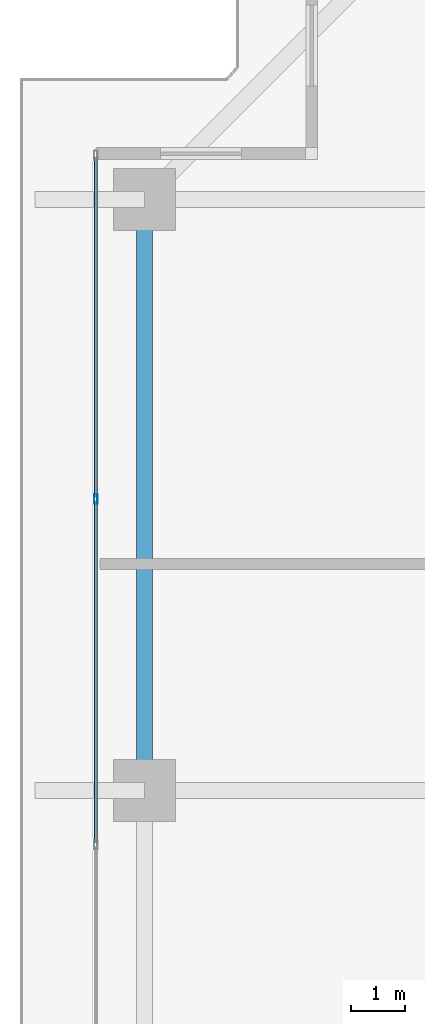
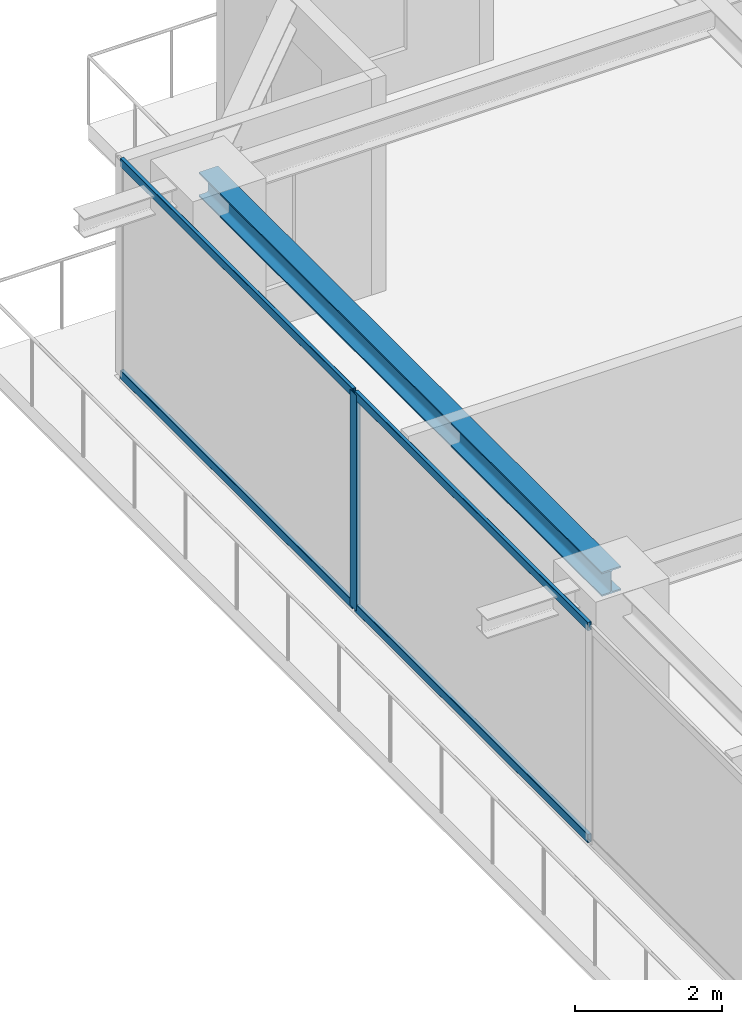
# One storey, part 16 of 37: 5 members, 1 beam, 1 element without a shape of its own.
"""IFC4 building model written with IfcOpenShell, lengths in metres."""

from ifc_helpers import new_model, si_unit, direction, frame, origin, origin_2d, place, context, subcontext, project, spatial, hollow_rectangle, i_section, extrude, source, transform, mapped, material, layer, layer_set, material_profile, profile_set, type_object, element, aggregate, save


model = new_model("IFC4")

# Units and contexts
model_context = context("Model", 3, precision=1e-05, world=origin(), true_north=direction((0.0, 1.0)))
body_context = subcontext(model_context, "Body", "Model", "MODEL_VIEW")
ifc_project = project(units=[si_unit("LENGTHUNIT", "METRE"), si_unit("AREAUNIT", "SQUARE_METRE"), si_unit("VOLUMEUNIT", "CUBIC_METRE"), si_unit("PLANEANGLEUNIT", "RADIAN"), si_unit("MASSUNIT", "GRAM", prefix="KILO")], contexts=[model_context])

# Site, building, storey
site_placement = place(None, origin())
site = spatial("IfcSite", under=ifc_project, at=site_placement, CompositionType="ELEMENT")
building_placement = place(site_placement, origin())
building = spatial("IfcBuilding", under=site, at=building_placement, Name="Serunith Strait Residences", CompositionType="ELEMENT")
storey_placement = place(building_placement, frame((0.0, 0.0, 260.5)))
storey = spatial("IfcBuildingStorey", under=building, at=storey_placement, Name="L65", CompositionType="ELEMENT", Elevation=260.5)

# Beam
ifc_material_1 = material(Name="Steel S355J2", Category="steel")
ifc_material_profile_1 = material_profile(ifc_material_1, i_section(OverallWidth=0.300048828125, OverallDepth=0.39990234375, WebThickness=0.013427734375, FlangeThickness=0.02392578125, FilletRadius=0.027099609375, at=origin_2d()), Name="HEB 400")
ifc_profile_set_1 = profile_set([ifc_material_profile_1], Name="Steel S355J2")
beam_type = type_object("IfcBeamType", Name="BM-HEB400", PredefinedType="BEAM", material=ifc_profile_set_1)
shared_shape_1 = source(origin(), body_context, "Body", "SweptSolid", [
    extrude(i_section(OverallWidth=0.300048828125, OverallDepth=0.39990234375, WebThickness=0.013427734375, FlangeThickness=0.02392578125, FilletRadius=0.027099609375, at=origin_2d()), origin(), (0.0, 0.0, 1.0), 10.9501953125),
])
beam_placement = place(storey_placement, frame((8.300048828125, 40.35009765625, 3.386962890625), z_axis=(0.0, -1.0, 0.0), x_axis=(1.0, 0.0, 0.0)))
element("IfcBeam", 1, at=beam_placement, inside=storey, type_object=beam_type, Name="L65 Perimeter Ring Beam 13", PredefinedType="BEAM", context=body_context, shape_type="MappedRepresentation", body=[
    mapped(shared_shape_1, transform((0.0, 0.0, 0.0), scale=1.0)),
])

# Curtain wall, members
ifc_material_2 = material(Name="Pale-Champagne Anodised Aluminium", Category="aluminium")
ifc_layer = layer(ifc_material_2, 0.199951171875, Name="Pale-Champagne Anodised Aluminium")
ifc_layer_set = layer_set([ifc_layer], Name="Pale-Champagne Anodised Aluminium")
curtain_wall_type = type_object("IfcCurtainWallType", Name="CW-SYS4", PredefinedType="NOTDEFINED", material=ifc_layer_set)
curtain_wall_placement = place(storey_placement, origin())
curtain_wall = element("IfcCurtainWall", 2, at=curtain_wall_placement, inside=storey, type_object=curtain_wall_type, Name="L65 W Unitised Fritted Curtain Wall", PredefinedType="NOTDEFINED")
ifc_material_profile_2 = material_profile(ifc_material_2, hollow_rectangle(XDim=0.06494140625, YDim=0.179931640625, WallThickness=0.00341796875, InnerFilletRadius=0.00537109375, OuterFilletRadius=0.0087890625, at=origin_2d()), Name="ALU 180x65x3.5")
ifc_profile_set_2 = profile_set([ifc_material_profile_2], Name="Pale-Champagne Anodised Aluminium")
member_type_1 = type_object("IfcMemberType", Name="CW-SYS4-MULL", PredefinedType="MULLION", material=ifc_profile_set_2)
shared_shape_2 = source(origin(), body_context, "Body", "SweptSolid", [
    extrude(hollow_rectangle(XDim=0.06494140625, YDim=0.179931640625, WallThickness=0.00341796875, InnerFilletRadius=0.00537109375, OuterFilletRadius=0.0087890625, at=origin_2d()), origin(), (0.0, 0.0, 1.0), 3.574951171875),
])
member_1_placement = place(storey_placement, frame((7.39990234375, 34.800048828125, 0.0), z_axis=(0.0, 0.0, 1.0), x_axis=(1.0, 0.0, 0.0)))
member_1 = element("IfcMember", 3, at=member_1_placement, type_object=member_type_1, Name="CW-4 mullion 2", PredefinedType="MULLION", context=body_context, shape_type="MappedRepresentation", body=[
    mapped(shared_shape_2, transform((0.0, 0.0, 0.0), scale=1.0)),
])
ifc_material_profile_3 = material_profile(ifc_material_2, hollow_rectangle(XDim=0.06005859375, YDim=0.139892578125, WallThickness=0.00341796875, InnerFilletRadius=0.00537109375, OuterFilletRadius=0.0087890625, at=origin_2d()), Name="ALU 140x60x3.5")
ifc_profile_set_3 = profile_set([ifc_material_profile_3], Name="Pale-Champagne Anodised Aluminium")
member_type_2 = type_object("IfcMemberType", Name="CW-SYS4-TRAN", PredefinedType="USERDEFINED", material=ifc_profile_set_3)
shared_shape_3 = source(origin(), body_context, "Body", "SweptSolid", [
    extrude(hollow_rectangle(XDim=0.06005859375, YDim=0.139892578125, WallThickness=0.00341796875, InnerFilletRadius=0.00537109375, OuterFilletRadius=0.0087890625, at=origin_2d()), origin(), (0.0, 0.0, 1.0), 6.302490234375),
])
member_2_placement = place(storey_placement, frame((7.39990234375, 41.135009765625, 0.030029296875), z_axis=(0.0, -1.0, 0.0), x_axis=(1.0, 0.0, 0.0)))
member_2 = element("IfcMember", 4, at=member_2_placement, type_object=member_type_2, Name="CW-4 transom 1.1", ObjectType="TRANSOM", PredefinedType="USERDEFINED", context=body_context, shape_type="MappedRepresentation", body=[
    mapped(shared_shape_3, transform((0.0, 0.0, 0.0), scale=1.0)),
])
member_3_placement = place(storey_placement, frame((7.39990234375, 41.135009765625, 3.544921875), z_axis=(0.0, -1.0, 0.0), x_axis=(1.0, 0.0, 0.0)))
member_3 = element("IfcMember", 5, at=member_3_placement, type_object=member_type_2, Name="CW-4 transom 1.2", ObjectType="TRANSOM", PredefinedType="USERDEFINED", context=body_context, shape_type="MappedRepresentation", body=[
    mapped(shared_shape_3, transform((0.0, 0.0, 0.0), scale=1.0)),
])
shared_shape_4 = source(origin(), body_context, "Body", "SweptSolid", [
    extrude(hollow_rectangle(XDim=0.06005859375, YDim=0.139892578125, WallThickness=0.00341796875, InnerFilletRadius=0.00537109375, OuterFilletRadius=0.0087890625, at=origin_2d()), origin(), (0.0, 0.0, 1.0), 6.3349609375),
])
member_4_placement = place(storey_placement, frame((7.39990234375, 34.767578125, 0.030029296875), z_axis=(0.0, -1.0, 0.0), x_axis=(1.0, 0.0, 0.0)))
member_4 = element("IfcMember", 6, at=member_4_placement, type_object=member_type_2, Name="CW-4 transom 2.1", ObjectType="TRANSOM", PredefinedType="USERDEFINED", context=body_context, shape_type="MappedRepresentation", body=[
    mapped(shared_shape_4, transform((0.0, 0.0, 0.0), scale=1.0)),
])
member_5_placement = place(storey_placement, frame((7.39990234375, 34.767578125, 3.544921875), z_axis=(0.0, -1.0, 0.0), x_axis=(1.0, 0.0, 0.0)))
member_5 = element("IfcMember", 7, at=member_5_placement, type_object=member_type_2, Name="CW-4 transom 2.2", ObjectType="TRANSOM", PredefinedType="USERDEFINED", context=body_context, shape_type="MappedRepresentation", body=[
    mapped(shared_shape_4, transform((0.0, 0.0, 0.0), scale=1.0)),
])
aggregate(curtain_wall, [member_1, member_2, member_3, member_4, member_5])

save(model, "model.ifc")
